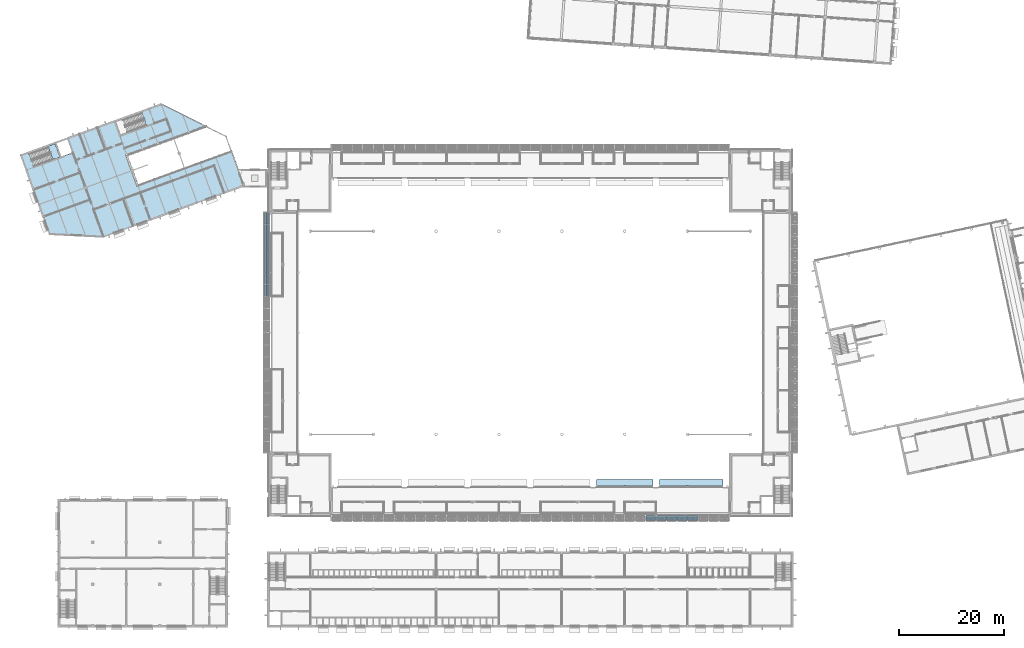
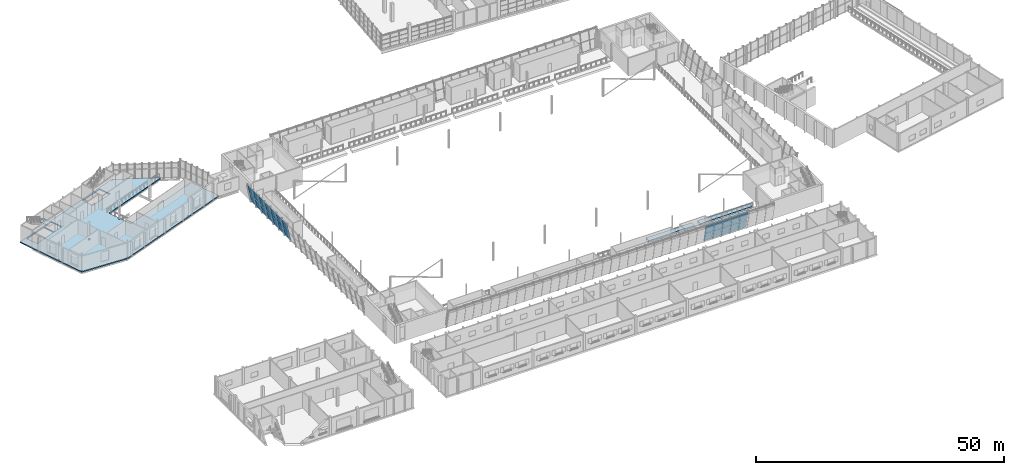
# One storey, part 51 of 115: 24 plates, 4 slabs, 3 elements without a shape of their own.
"""IFC4 building model written with IfcOpenShell, lengths in metres."""

from ifc_helpers import new_model, si_unit, direction, frame, origin, place, context, subcontext, project, spatial, polyline, outline, extrude, material, layer, layer_set, type_object, element, aggregate, save


model = new_model("IFC4")

# Units and contexts
model_context = context("Model", 3, precision=1e-05, world=origin(), true_north=direction((0.0, 1.0)))
body_context = subcontext(model_context, "Body", "Model", "MODEL_VIEW")
ifc_project = project(units=[si_unit("LENGTHUNIT", "METRE"), si_unit("AREAUNIT", "SQUARE_METRE"), si_unit("VOLUMEUNIT", "CUBIC_METRE"), si_unit("PLANEANGLEUNIT", "RADIAN"), si_unit("MASSUNIT", "GRAM", prefix="KILO")], contexts=[model_context])

# Site, building, storey
site_placement = place(None, origin())
site = spatial("IfcSite", under=ifc_project, at=site_placement, CompositionType="ELEMENT")
building_placement = place(site_placement, origin())
building = spatial("IfcBuilding", under=site, at=building_placement, Name="Windward Yard Aquatics Centre", CompositionType="ELEMENT")
storey_placement = place(building_placement, frame((0.0, 0.0, 5.0)))
storey = spatial("IfcBuildingStorey", under=building, at=storey_placement, Name="L01", CompositionType="ELEMENT", Elevation=5.0)

# Slab
ifc_material_1 = material(Name="Concrete C40/50", Category="concrete")
ifc_layer_1 = layer(ifc_material_1, 0.280029296875)
ifc_layer_set_1 = layer_set([ifc_layer_1], Name="F floor slab 280 Concrete C40/50")
slab_type_1 = type_object("IfcSlabType", Name="F floor slab 280 Concrete C40/50", PredefinedType="FLOOR", material=ifc_layer_set_1)
slab_1_placement = place(storey_placement, frame((0.0, 0.0, -0.280029296875)))
element("IfcSlab", 1, at=slab_1_placement, inside=storey, type_object=slab_type_1, Name="F.SL.L01", PredefinedType="FLOOR", context=body_context, shape_type="SweptSolid", body=[
    extrude(outline(polyline([(4.533447265625, 94.98828125), (10.091064453125, 79.718505859375), (10.115966796875, 79.71728515625), (10.03515625, 79.939453125), (10.27392578125, 80.026123046875), (10.360595703125, 79.78759765625), (10.16162109375, 79.715087890625), (20.4111328125, 79.207763671875), (20.330322265625, 79.4296875), (20.569091796875, 79.5166015625), (20.656005859375, 79.278076171875), (20.456787109375, 79.20556640625), (20.51611328125, 79.20263671875), (47.466552734375, 89.01171875), (44.969970703125, 95.87158203125), (27.11572265625, 89.373291015625), (26.218017578125, 91.83984375), (25.865478515625, 91.711669921875), (25.711669921875, 92.134521484375), (26.06396484375, 92.2626953125), (25.166259765625, 94.7294921875), (40.529541015625, 100.3212890625), (31.597412109375, 104.7685546875), (31.669677734375, 104.5703125), (31.430908203125, 104.4833984375), (31.343994140625, 104.721923828125), (31.54443359375, 104.794921875), (31.51611328125, 104.80908203125), (4.533447265625, 94.98828125)]), holes=[polyline([(6.27099609375, 95.301513671875), (11.2373046875, 97.10888671875), (12.169189453125, 94.54833984375), (7.203125, 92.74072265625), (6.27099609375, 95.301513671875)]), polyline([(11.472412109375, 97.194580078125), (13.586669921875, 97.964111328125), (14.5185546875, 95.4033203125), (12.404296875, 94.6337890625), (11.472412109375, 97.194580078125)]), polyline([(22.74853515625, 101.298583984375), (27.73828125, 103.114990234375), (28.67041015625, 100.55419921875), (23.6806640625, 98.738037109375), (22.74853515625, 101.298583984375)]), polyline([(29.25732421875, 82.678955078125), (29.49609375, 82.765869140625), (29.5830078125, 82.527099609375), (29.34423828125, 82.440185546875), (29.25732421875, 82.678955078125)]), polyline([(7.983154296875, 85.577392578125), (8.2216796875, 85.664306640625), (8.30859375, 85.42578125), (8.06982421875, 85.3388671875), (7.983154296875, 85.577392578125)]), polyline([(16.784423828125, 88.88525390625), (17.20751953125, 89.039306640625), (17.361328125, 88.6162109375), (16.9384765625, 88.46240234375), (16.784423828125, 88.88525390625)]), polyline([(38.1845703125, 85.92822265625), (38.423095703125, 86.014892578125), (38.510009765625, 85.7763671875), (38.271484375, 85.689453125), (38.1845703125, 85.92822265625)]), polyline([(47.111572265625, 89.177490234375), (47.350341796875, 89.26416015625), (47.43701171875, 89.025634765625), (47.198486328125, 88.938720703125), (47.111572265625, 89.177490234375)])]), origin(), (0.0, 0.0, 1.0), 0.280029296875),
])

# Stair, slab
stair_type = type_object("IfcStairType", Name="F stair 1200 half-turn Concrete C40/50", PredefinedType="HALF_TURN_STAIR", material=ifc_material_1)
stair_placement = place(storey_placement, origin())
stair = element("IfcStair", 2, at=stair_placement, inside=storey, type_object=stair_type, Name="F.ST.L01.S1", PredefinedType="HALF_TURN_STAIR")
ifc_layer_2 = layer(ifc_material_1, 0.199951171875)
ifc_layer_set_2 = layer_set([ifc_layer_2], Name="F stair landing 200 Concrete C40/50")
slab_type_2 = type_object("IfcSlabType", Name="F stair landing 200 Concrete C40/50", PredefinedType="LANDING", material=ifc_layer_set_2)
slab_2_placement = place(storey_placement, frame((0.0, 0.0, 2.0)))
slab_2 = element("IfcSlab", 3, at=slab_2_placement, type_object=slab_type_2, Name="FS1 landing 1", PredefinedType="LANDING", context=body_context, shape_type="SweptSolid", body=[
    extrude(outline(polyline([(9.87939453125, 96.61474609375), (10.8115234375, 94.05419921875), (12.169189453125, 94.54833984375), (11.2373046875, 97.10888671875), (9.87939453125, 96.61474609375)])), origin(), (0.0, 0.0, 1.0), 0.199951171875),
])
aggregate(stair, [slab_2])

# Slabs
ifc_material_2 = material(Name="Concrete C35/45", Category="concrete")
ifc_layer_3 = layer(ifc_material_2, 0.51611328125)
ifc_layer_set_3 = layer_set([ifc_layer_3], Name="H gangway slab 516 C35/45")
slab_type_3 = type_object("IfcSlabType", Name="H gangway slab 516 C35/45", PredefinedType="FLOOR", material=ifc_layer_set_3)
slab_3_placement = place(storey_placement, frame((0.0, 0.0, -0.51611328125)))
element("IfcSlab", 4, at=slab_3_placement, inside=storey, type_object=slab_type_3, Name="H.GW.S.5", PredefinedType="FLOOR", context=body_context, shape_type="SweptSolid", body=[
    extrude(outline(polyline([(114.625, 31.859619140625), (125.375, 31.859619140625), (125.375, 33.0), (114.625, 33.0), (114.625, 31.859619140625)])), origin(), (0.0, 0.0, 1.0), 0.51611328125),
])
slab_4_placement = place(storey_placement, frame((0.0, 0.0, -0.51611328125)))
element("IfcSlab", 5, at=slab_4_placement, inside=storey, type_object=slab_type_3, Name="H.GW.S.6", PredefinedType="FLOOR", context=body_context, shape_type="SweptSolid", body=[
    extrude(outline(polyline([(126.625, 31.859619140625), (138.75, 31.859619140625), (138.75, 33.0), (126.625, 33.0), (126.625, 31.859619140625)])), origin(), (0.0, 0.0, 1.0), 0.51611328125),
])

# Curtain wall, plates
ifc_material_3 = material(Name="Glass and aluminium curtain wall", Category="aluminium")
ifc_layer_4 = layer(ifc_material_3, 0.179931640625)
ifc_layer_set_4 = layer_set([ifc_layer_4], Name="H curtain wall tier 1 double glazed 8+16+8")
curtain_wall_type = type_object("IfcCurtainWallType", Name="H curtain wall tier 1 double glazed 8+16+8", PredefinedType="NOTDEFINED", material=ifc_layer_set_4)
curtain_wall_1_placement = place(storey_placement, origin())
curtain_wall_1 = element("IfcCurtainWall", 6, at=curtain_wall_1_placement, inside=storey, type_object=curtain_wall_type, Name="Tier 1 glazing S L01", PredefinedType="NOTDEFINED")
ifc_material_4 = material(Name="Low-iron glass", Category="glass")
ifc_layer_5 = layer(ifc_material_4, 0.008, Name="Outer pane")
ifc_material_5 = material(Name="Argon-filled cavity")
ifc_layer_6 = layer(ifc_material_5, 0.016, Name="Cavity")
ifc_layer_7 = layer(ifc_material_4, 0.008, Name="Inner pane")
ifc_layer_set_5 = layer_set([ifc_layer_5, ifc_layer_6, ifc_layer_7], Name="H tier 1 glass low-e double glazed unit 32")
plate_type = type_object("IfcPlateType", Name="H tier 1 glass low-e double glazed unit 32", PredefinedType="CURTAIN_PANEL", material=ifc_layer_set_5)
plate_1_placement = place(storey_placement, frame((124.03466796875, 25.669921875, 2.154296875), z_axis=(0.0, 0.979937049238, 0.19930724907), x_axis=(0.0, 0.19930724907, -0.979937049238)))
plate_1 = element("IfcPlate", 7, at=plate_1_placement, type_object=plate_type, Name="G1SB panel 12.1", PredefinedType="CURTAIN_PANEL", context=body_context, shape_type="SweptSolid", body=[
    extrude(outline(polyline([(0.0, 0.0), (2.088533, 0.0), (2.088533, -1.93457), (0.0, -1.93457), (0.0, 0.0)])), origin(), (0.0, 0.0, -1.0), 0.031982421875),
])
plate_2_placement = place(storey_placement, frame((124.03466796875, 25.232177734375, 4.30517578125), z_axis=(0.0, 0.979920842931, 0.199386914289), x_axis=(0.0, 0.199386914289, -0.979920842931)))
plate_2 = element("IfcPlate", 8, at=plate_2_placement, type_object=plate_type, Name="G1SB panel 12.2", PredefinedType="CURTAIN_PANEL", context=body_context, shape_type="SweptSolid", body=[
    extrude(outline(polyline([(0.0, 0.0), (2.095045, 0.0), (2.095045, -1.93457), (0.0, -1.93457), (0.0, 0.0)])), origin(), (0.0, 0.0, -1.0), 0.031982421875),
])
plate_3_placement = place(storey_placement, frame((126.034423828125, 25.669921875, 2.154296875), z_axis=(0.0, 0.979937049238, 0.19930724907), x_axis=(0.0, 0.19930724907, -0.979937049238)))
plate_3 = element("IfcPlate", 9, at=plate_3_placement, type_object=plate_type, Name="G1SB panel 13.1", PredefinedType="CURTAIN_PANEL", context=body_context, shape_type="SweptSolid", body=[
    extrude(outline(polyline([(0.0, 0.0), (2.088533, 0.0), (2.088533, -1.93457), (0.0, -1.93457), (0.0, 0.0)])), origin(), (0.0, 0.0, -1.0), 0.031982421875),
])
plate_4_placement = place(storey_placement, frame((126.034423828125, 25.232177734375, 4.30517578125), z_axis=(0.0, 0.979920842931, 0.199386914289), x_axis=(0.0, 0.199386914289, -0.979920842931)))
plate_4 = element("IfcPlate", 10, at=plate_4_placement, type_object=plate_type, Name="G1SB panel 13.2", PredefinedType="CURTAIN_PANEL", context=body_context, shape_type="SweptSolid", body=[
    extrude(outline(polyline([(0.0, 0.0), (2.095045, 0.0), (2.095045, -1.93457), (0.0, -1.93457), (0.0, 0.0)])), origin(), (0.0, 0.0, -1.0), 0.031982421875),
])
plate_5_placement = place(storey_placement, frame((128.0341796875, 25.669921875, 2.154296875), z_axis=(0.0, 0.979937049238, 0.19930724907), x_axis=(0.0, 0.19930724907, -0.979937049238)))
plate_5 = element("IfcPlate", 11, at=plate_5_placement, type_object=plate_type, Name="G1SB panel 14.1", PredefinedType="CURTAIN_PANEL", context=body_context, shape_type="SweptSolid", body=[
    extrude(outline(polyline([(0.0, 0.0), (2.088533, 0.0), (2.088533, -1.93457), (0.0, -1.93457), (0.0, 0.0)])), origin(), (0.0, 0.0, -1.0), 0.031982421875),
])
plate_6_placement = place(storey_placement, frame((128.0341796875, 25.232177734375, 4.30517578125), z_axis=(0.0, 0.979920842931, 0.199386914289), x_axis=(0.0, 0.199386914289, -0.979920842931)))
plate_6 = element("IfcPlate", 12, at=plate_6_placement, type_object=plate_type, Name="G1SB panel 14.2", PredefinedType="CURTAIN_PANEL", context=body_context, shape_type="SweptSolid", body=[
    extrude(outline(polyline([(0.0, 0.0), (2.095045, 0.0), (2.095045, -1.93457), (0.0, -1.93457), (0.0, 0.0)])), origin(), (0.0, 0.0, -1.0), 0.031982421875),
])
plate_7_placement = place(storey_placement, frame((130.033935546875, 25.669921875, 2.154296875), z_axis=(0.0, 0.979937049238, 0.19930724907), x_axis=(0.0, 0.19930724907, -0.979937049238)))
plate_7 = element("IfcPlate", 13, at=plate_7_placement, type_object=plate_type, Name="G1SB panel 15.1", PredefinedType="CURTAIN_PANEL", context=body_context, shape_type="SweptSolid", body=[
    extrude(outline(polyline([(0.0, 0.0), (2.088533, 0.0), (2.088533, -1.93457), (0.0, -1.93457), (0.0, 0.0)])), origin(), (0.0, 0.0, -1.0), 0.031982421875),
])
plate_8_placement = place(storey_placement, frame((130.033935546875, 25.232177734375, 4.30517578125), z_axis=(0.0, 0.979920842931, 0.199386914289), x_axis=(0.0, 0.199386914289, -0.979920842931)))
plate_8 = element("IfcPlate", 14, at=plate_8_placement, type_object=plate_type, Name="G1SB panel 15.2", PredefinedType="CURTAIN_PANEL", context=body_context, shape_type="SweptSolid", body=[
    extrude(outline(polyline([(0.0, 0.0), (2.095045, 0.0), (2.095045, -1.93457), (0.0, -1.93457), (0.0, 0.0)])), origin(), (0.0, 0.0, -1.0), 0.031982421875),
])
plate_9_placement = place(storey_placement, frame((132.033447265625, 25.669921875, 2.154296875), z_axis=(0.0, 0.979937049238, 0.19930724907), x_axis=(0.0, 0.19930724907, -0.979937049238)))
plate_9 = element("IfcPlate", 15, at=plate_9_placement, type_object=plate_type, Name="G1SB panel 16.1", PredefinedType="CURTAIN_PANEL", context=body_context, shape_type="SweptSolid", body=[
    extrude(outline(polyline([(0.0, 0.0), (2.088533, 0.0), (2.088533, -1.934814), (0.0, -1.934814), (0.0, 0.0)])), origin(), (0.0, 0.0, -1.0), 0.031982421875),
])
plate_10_placement = place(storey_placement, frame((132.033447265625, 25.232177734375, 4.30517578125), z_axis=(0.0, 0.979920842931, 0.199386914289), x_axis=(0.0, 0.199386914289, -0.979920842931)))
plate_10 = element("IfcPlate", 16, at=plate_10_placement, type_object=plate_type, Name="G1SB panel 16.2", PredefinedType="CURTAIN_PANEL", context=body_context, shape_type="SweptSolid", body=[
    extrude(outline(polyline([(0.0, 0.0), (2.095045, 0.0), (2.095045, -1.934814), (0.0, -1.934814), (0.0, 0.0)])), origin(), (0.0, 0.0, -1.0), 0.031982421875),
])
aggregate(curtain_wall_1, [plate_1, plate_2, plate_3, plate_4, plate_5, plate_6, plate_7, plate_8, plate_9, plate_10])

curtain_wall_2_placement = place(storey_placement, origin())
curtain_wall_2 = element("IfcCurtainWall", 17, at=curtain_wall_2_placement, inside=storey, type_object=curtain_wall_type, Name="Tier 1 glazing W L01", PredefinedType="NOTDEFINED")
plate_11_placement = place(storey_placement, frame((51.669921875, 67.9326171875, 2.154296875), z_axis=(0.979937049238, 0.0, 0.19930724907), x_axis=(0.19930724907, 0.0, -0.979937049238)))
plate_11 = element("IfcPlate", 18, at=plate_11_placement, type_object=plate_type, Name="G1WA panel 14.1", PredefinedType="CURTAIN_PANEL", context=body_context, shape_type="SweptSolid", body=[
    extrude(outline(polyline([(0.0, 0.0), (2.088533, 0.0), (2.088533, 2.234863), (0.0, 2.234863), (0.0, 0.0)])), origin(), (0.0, 0.0, -1.0), 0.031982421875),
])
plate_12_placement = place(storey_placement, frame((51.232177734375, 67.9326171875, 4.30517578125), z_axis=(0.979920842931, 0.0, 0.199386914289), x_axis=(0.199386914289, 0.0, -0.979920842931)))
plate_12 = element("IfcPlate", 19, at=plate_12_placement, type_object=plate_type, Name="G1WA panel 14.2", PredefinedType="CURTAIN_PANEL", context=body_context, shape_type="SweptSolid", body=[
    extrude(outline(polyline([(0.0, 0.0), (2.095045, 0.0), (2.095045, 2.234863), (0.0, 2.234863), (0.0, 0.0)])), origin(), (0.0, 0.0, -1.0), 0.031982421875),
])
plate_13_placement = place(storey_placement, frame((51.669921875, 70.232421875, 2.154296875), z_axis=(0.979937049238, 0.0, 0.19930724907), x_axis=(0.19930724907, 0.0, -0.979937049238)))
plate_13 = element("IfcPlate", 20, at=plate_13_placement, type_object=plate_type, Name="G1WA panel 15.1", PredefinedType="CURTAIN_PANEL", context=body_context, shape_type="SweptSolid", body=[
    extrude(outline(polyline([(0.0, 0.0), (2.088533, 0.0), (2.088533, 2.235107), (0.0, 2.235107), (0.0, 0.0)])), origin(), (0.0, 0.0, -1.0), 0.031982421875),
])
plate_14_placement = place(storey_placement, frame((51.232177734375, 70.232421875, 4.30517578125), z_axis=(0.979920842931, 0.0, 0.199386914289), x_axis=(0.199386914289, 0.0, -0.979920842931)))
plate_14 = element("IfcPlate", 21, at=plate_14_placement, type_object=plate_type, Name="G1WA panel 15.2", PredefinedType="CURTAIN_PANEL", context=body_context, shape_type="SweptSolid", body=[
    extrude(outline(polyline([(0.0, 0.0), (2.095045, 0.0), (2.095045, 2.235107), (0.0, 2.235107), (0.0, 0.0)])), origin(), (0.0, 0.0, -1.0), 0.031982421875),
])
plate_15_placement = place(storey_placement, frame((51.669921875, 72.532470703125, 2.154296875), z_axis=(0.979937049238, 0.0, 0.19930724907), x_axis=(0.19930724907, 0.0, -0.979937049238)))
plate_15 = element("IfcPlate", 22, at=plate_15_placement, type_object=plate_type, Name="G1WA panel 16.1", PredefinedType="CURTAIN_PANEL", context=body_context, shape_type="SweptSolid", body=[
    extrude(outline(polyline([(0.0, 0.0), (2.088533, 0.0), (2.088533, 2.235107), (0.0, 2.235107), (0.0, 0.0)])), origin(), (0.0, 0.0, -1.0), 0.031982421875),
])
plate_16_placement = place(storey_placement, frame((51.232177734375, 72.532470703125, 4.30517578125), z_axis=(0.979920842931, 0.0, 0.199386914289), x_axis=(0.199386914289, 0.0, -0.979920842931)))
plate_16 = element("IfcPlate", 23, at=plate_16_placement, type_object=plate_type, Name="G1WA panel 16.2", PredefinedType="CURTAIN_PANEL", context=body_context, shape_type="SweptSolid", body=[
    extrude(outline(polyline([(0.0, 0.0), (2.095045, 0.0), (2.095045, 2.235107), (0.0, 2.235107), (0.0, 0.0)])), origin(), (0.0, 0.0, -1.0), 0.031982421875),
])
plate_17_placement = place(storey_placement, frame((51.669921875, 74.83251953125, 2.154296875), z_axis=(0.979937049238, 0.0, 0.19930724907), x_axis=(0.19930724907, 0.0, -0.979937049238)))
plate_17 = element("IfcPlate", 24, at=plate_17_placement, type_object=plate_type, Name="G1WA panel 17.1", PredefinedType="CURTAIN_PANEL", context=body_context, shape_type="SweptSolid", body=[
    extrude(outline(polyline([(0.0, 0.0), (2.088533, 0.0), (2.088533, 2.234863), (0.0, 2.234863), (0.0, 0.0)])), origin(), (0.0, 0.0, -1.0), 0.031982421875),
])
plate_18_placement = place(storey_placement, frame((51.232177734375, 74.83251953125, 4.30517578125), z_axis=(0.979920842931, 0.0, 0.199386914289), x_axis=(0.199386914289, 0.0, -0.979920842931)))
plate_18 = element("IfcPlate", 25, at=plate_18_placement, type_object=plate_type, Name="G1WA panel 17.2", PredefinedType="CURTAIN_PANEL", context=body_context, shape_type="SweptSolid", body=[
    extrude(outline(polyline([(0.0, 0.0), (2.095045, 0.0), (2.095045, 2.234863), (0.0, 2.234863), (0.0, 0.0)])), origin(), (0.0, 0.0, -1.0), 0.031982421875),
])
plate_19_placement = place(storey_placement, frame((51.669921875, 77.132568359375, 2.154296875), z_axis=(0.979937049238, 0.0, 0.19930724907), x_axis=(0.19930724907, 0.0, -0.979937049238)))
plate_19 = element("IfcPlate", 26, at=plate_19_placement, type_object=plate_type, Name="G1WA panel 18.1", PredefinedType="CURTAIN_PANEL", context=body_context, shape_type="SweptSolid", body=[
    extrude(outline(polyline([(0.0, 0.0), (2.088533, 0.0), (2.088533, 2.234863), (0.0, 2.234863), (0.0, 0.0)])), origin(), (0.0, 0.0, -1.0), 0.031982421875),
])
plate_20_placement = place(storey_placement, frame((51.232177734375, 77.132568359375, 4.30517578125), z_axis=(0.979920842931, 0.0, 0.199386914289), x_axis=(0.199386914289, 0.0, -0.979920842931)))
plate_20 = element("IfcPlate", 27, at=plate_20_placement, type_object=plate_type, Name="G1WA panel 18.2", PredefinedType="CURTAIN_PANEL", context=body_context, shape_type="SweptSolid", body=[
    extrude(outline(polyline([(0.0, 0.0), (2.095045, 0.0), (2.095045, 2.234863), (0.0, 2.234863), (0.0, 0.0)])), origin(), (0.0, 0.0, -1.0), 0.031982421875),
])
plate_21_placement = place(storey_placement, frame((51.669921875, 79.4326171875, 2.154296875), z_axis=(0.979937049238, 0.0, 0.19930724907), x_axis=(0.19930724907, 0.0, -0.979937049238)))
plate_21 = element("IfcPlate", 28, at=plate_21_placement, type_object=plate_type, Name="G1WA panel 19.1", PredefinedType="CURTAIN_PANEL", context=body_context, shape_type="SweptSolid", body=[
    extrude(outline(polyline([(0.0, 0.0), (2.088533, 0.0), (2.088533, 2.234863), (0.0, 2.234863), (0.0, 0.0)])), origin(), (0.0, 0.0, -1.0), 0.031982421875),
])
plate_22_placement = place(storey_placement, frame((51.232177734375, 79.4326171875, 4.30517578125), z_axis=(0.979920842931, 0.0, 0.199386914289), x_axis=(0.199386914289, 0.0, -0.979920842931)))
plate_22 = element("IfcPlate", 29, at=plate_22_placement, type_object=plate_type, Name="G1WA panel 19.2", PredefinedType="CURTAIN_PANEL", context=body_context, shape_type="SweptSolid", body=[
    extrude(outline(polyline([(0.0, 0.0), (2.095045, 0.0), (2.095045, 2.234863), (0.0, 2.234863), (0.0, 0.0)])), origin(), (0.0, 0.0, -1.0), 0.031982421875),
])
plate_23_placement = place(storey_placement, frame((51.669921875, 81.732421875, 2.154296875), z_axis=(0.979937049238, 0.0, 0.19930724907), x_axis=(0.19930724907, 0.0, -0.979937049238)))
plate_23 = element("IfcPlate", 30, at=plate_23_placement, type_object=plate_type, Name="G1WA panel 20.1", PredefinedType="CURTAIN_PANEL", context=body_context, shape_type="SweptSolid", body=[
    extrude(outline(polyline([(0.0, 0.0), (2.088533, 0.0), (2.088533, 2.202637), (0.0, 2.202637), (0.0, 0.0)])), origin(), (0.0, 0.0, -1.0), 0.031982421875),
])
plate_24_placement = place(storey_placement, frame((51.232177734375, 81.732421875, 4.30517578125), z_axis=(0.979920842931, 0.0, 0.199386914289), x_axis=(0.199386914289, 0.0, -0.979920842931)))
plate_24 = element("IfcPlate", 31, at=plate_24_placement, type_object=plate_type, Name="G1WA panel 20.2", PredefinedType="CURTAIN_PANEL", context=body_context, shape_type="SweptSolid", body=[
    extrude(outline(polyline([(0.0, 0.0), (2.095045, 0.0), (2.095045, 2.202637), (0.0, 2.202637), (0.0, 0.0)])), origin(), (0.0, 0.0, -1.0), 0.031982421875),
])
aggregate(curtain_wall_2, [plate_11, plate_12, plate_13, plate_14, plate_15, plate_16, plate_17, plate_18, plate_19, plate_20, plate_21, plate_22, plate_23, plate_24])

save(model, "model.ifc")
